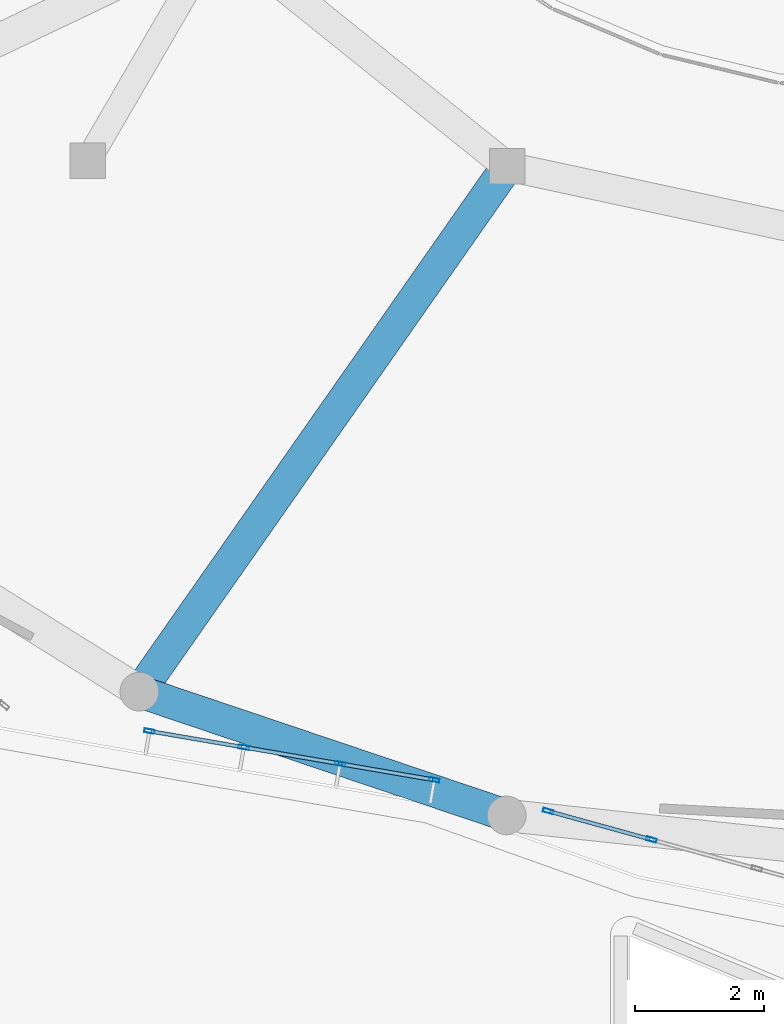
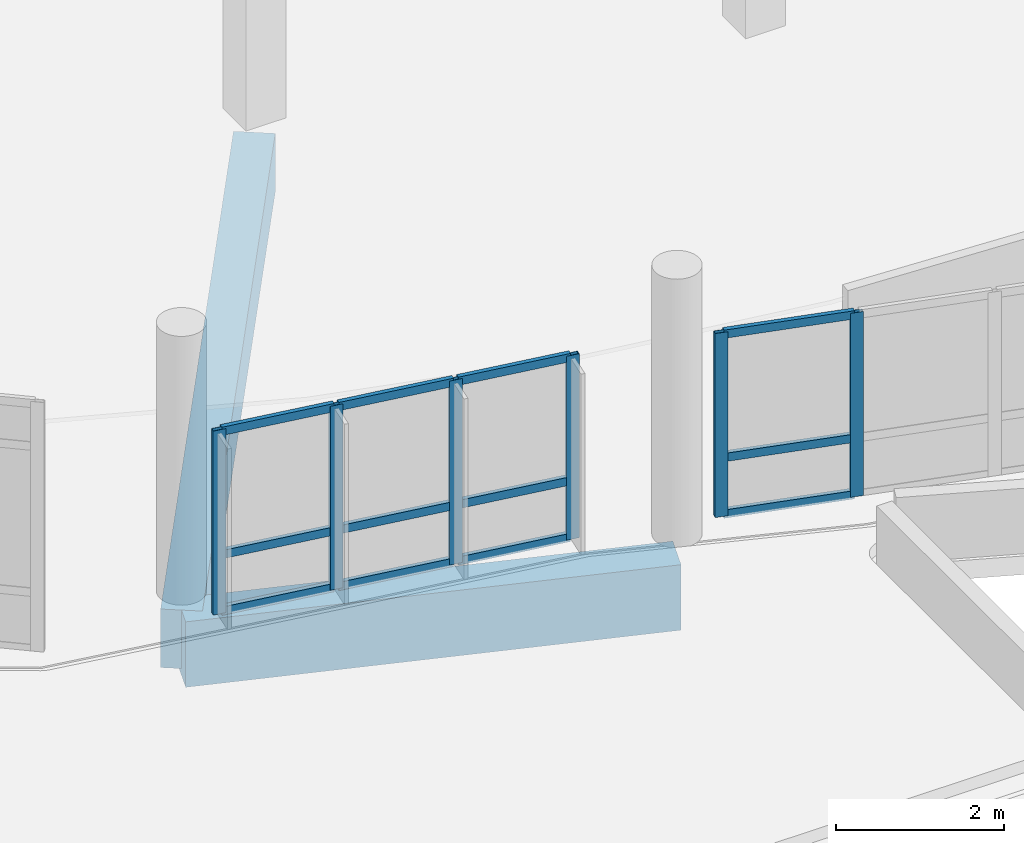
# One storey, part 9 of 74: 18 members, 2 beams, 2 elements without a shape of their own.
"""IFC4 building model written with IfcOpenShell, lengths in metres."""

from ifc_helpers import new_model, si_unit, derived_unit, direction, frame, origin, origin_2d, place, context, subcontext, project, spatial, rectangle, hollow_rectangle, extrude, material, layer, layer_set, material_profile, profile_set, type_object, element, aggregate, save


model = new_model("IFC4")

# Units and contexts
model_context = context("Model", 3, precision=1e-05, world=origin(), true_north=direction((0.0, 1.0)))
body_context = subcontext(model_context, "Body", "Model", "MODEL_VIEW")
ifc_project = project(units=[si_unit("LENGTHUNIT", "METRE"), si_unit("AREAUNIT", "SQUARE_METRE"), si_unit("VOLUMEUNIT", "CUBIC_METRE"), si_unit("PLANEANGLEUNIT", "RADIAN"), si_unit("MASSUNIT", "GRAM", prefix="KILO"), derived_unit("THERMALTRANSMITTANCEUNIT", [(si_unit("POWERUNIT", "WATT"), 1), (si_unit("LENGTHUNIT", "METRE"), -2), (si_unit("THERMODYNAMICTEMPERATUREUNIT", "KELVIN"), -1)])], contexts=[model_context])

# Site, building, storey
site_placement = place(None, origin())
site = spatial("IfcSite", under=ifc_project, at=site_placement, CompositionType="ELEMENT")
building_placement = place(site_placement, origin())
building = spatial("IfcBuilding", under=site, at=building_placement, Name="Elbkamm Science Centre", CompositionType="ELEMENT")
storey_placement = place(building_placement, frame((0.0, 0.0, 14.39990234375)))
storey = spatial("IfcBuildingStorey", under=building, at=storey_placement, Name="L03", CompositionType="ELEMENT", Elevation=14.39990234375)

# Beams
ifc_material_1 = material(Name="Concrete C40/50", Category="concrete")
ifc_material_profile_1 = material_profile(ifc_material_1, rectangle(XDim=0.5, YDim=0.85009765625, at=origin_2d()), Name="RC 500x850")
ifc_profile_set_1 = profile_set([ifc_material_profile_1], Name="Concrete C40/50")
beam_type_1 = type_object("IfcBeamType", Name="BM-RC-500x850", PredefinedType="BEAM", material=ifc_profile_set_1)
beam_1_placement = place(storey_placement, frame((56.89990234375, 58.712890625, -0.704833984375), z_axis=(-0.573553022395, -0.819168438419, 0.0), x_axis=(0.819168438419, -0.573553022395, 0.0)))
element("IfcBeam", 1, at=beam_1_placement, inside=storey, type_object=beam_type_1, Name="L03 Elliptical Radial Girder 09", PredefinedType="BEAM", context=body_context, shape_type="SweptSolid", body=[
    extrude(rectangle(XDim=0.5, YDim=0.85009765625, at=origin_2d()), origin(), (0.0, 0.0, 1.0), 9.93798828125),
])
ifc_material_profile_2 = material_profile(ifc_material_1, rectangle(XDim=0.5, YDim=0.949951171875, at=origin_2d()), Name="RC 500x950")
ifc_profile_set_2 = profile_set([ifc_material_profile_2], Name="Concrete C40/50")
beam_type_2 = type_object("IfcBeamType", Name="BM-RC-500x950", PredefinedType="BEAM", material=ifc_profile_set_2)
beam_2_placement = place(storey_placement, frame((51.199951171875, 50.572021484375, -0.7548828125), z_axis=(0.947649950761, -0.319311087848, 0.0), x_axis=(0.319311087848, 0.947649950761, 0.0)))
element("IfcBeam", 2, at=beam_2_placement, inside=storey, type_object=beam_type_2, Name="L03 Elliptical Shell Perimeter Ring Beam 17", PredefinedType="SPANDREL", context=body_context, shape_type="SweptSolid", body=[
    extrude(rectangle(XDim=0.5, YDim=0.949951171875, at=origin_2d()), origin(), (0.0, 0.0, 1.0), 6.006591796875),
])

# Curtain wall, members
ifc_material_2 = material(Name="Powder-coated aluminium and triple low-E glazing", Category="aluminium")
ifc_layer_1 = layer(ifc_material_2, 0.159912109375)
ifc_layer_set_1 = layer_set([ifc_layer_1], Name="Powder-coated aluminium and triple low-E glazing")
curtain_wall_type_1 = type_object("IfcCurtainWallType", Name="CW-UNIT-4540x2680", PredefinedType="USERDEFINED", material=ifc_layer_set_1)
curtain_wall_1_placement = place(storey_placement, origin())
curtain_wall_1 = element("IfcCurtainWall", 3, at=curtain_wall_1_placement, inside=storey, type_object=curtain_wall_type_1, Name="L03 Unitised Curtain Wall 069", ObjectType="UNITISED CURTAIN WALL", PredefinedType="USERDEFINED")
ifc_material_3 = material(Name="Powder-coated aluminium EN AW-6060", Category="aluminium")
ifc_material_profile_3 = material_profile(ifc_material_3, hollow_rectangle(XDim=0.06005859375, YDim=0.159912109375, WallThickness=0.00390625, at=origin_2d()), Name="ALU M60x160")
ifc_profile_set_3 = profile_set([ifc_material_profile_3], Name="Powder-coated aluminium EN AW-6060")
member_type_1 = type_object("IfcMemberType", Name="CW-MUL-60x160", PredefinedType="MULLION", material=ifc_profile_set_3)
member_1_placement = place(storey_placement, frame((51.356689453125, 49.960693359375, 0.0), z_axis=(0.0, 0.0, 1.0), x_axis=(0.168938740073, 0.985626553063, 0.0)))
member_1 = element("IfcMember", 4, at=member_1_placement, type_object=member_type_1, Name="CW-028 mullion 1", PredefinedType="MULLION", context=body_context, shape_type="SweptSolid", body=[
    extrude(hollow_rectangle(XDim=0.06005859375, YDim=0.159912109375, WallThickness=0.00390625, at=origin_2d()), origin(), (0.0, 0.0, 1.0), 2.670166015625),
])
member_2_placement = place(storey_placement, frame((52.818115234375, 49.710205078125, 0.0), z_axis=(0.0, 0.0, 1.0), x_axis=(0.168938740073, 0.985626553063, 0.0)))
member_2 = element("IfcMember", 5, at=member_2_placement, type_object=member_type_1, Name="CW-028 mullion 2", PredefinedType="MULLION", context=body_context, shape_type="SweptSolid", body=[
    extrude(hollow_rectangle(XDim=0.06005859375, YDim=0.159912109375, WallThickness=0.00390625, at=origin_2d()), origin(), (0.0, 0.0, 1.0), 2.670166015625),
])
member_3_placement = place(storey_placement, frame((54.309326171875, 49.45458984375, 0.0), z_axis=(0.0, 0.0, 1.0), x_axis=(0.168938740073, 0.985626553063, 0.0)))
member_3 = element("IfcMember", 6, at=member_3_placement, type_object=member_type_1, Name="CW-028 mullion 3", PredefinedType="MULLION", context=body_context, shape_type="SweptSolid", body=[
    extrude(hollow_rectangle(XDim=0.06005859375, YDim=0.159912109375, WallThickness=0.00390625, at=origin_2d()), origin(), (0.0, 0.0, 1.0), 2.670166015625),
])
member_4_placement = place(storey_placement, frame((55.770751953125, 49.2041015625, 0.0), z_axis=(0.0, 0.0, 1.0), x_axis=(0.168938740073, 0.985626553063, 0.0)))
member_4 = element("IfcMember", 7, at=member_4_placement, type_object=member_type_1, Name="CW-028 mullion 4", PredefinedType="MULLION", context=body_context, shape_type="SweptSolid", body=[
    extrude(hollow_rectangle(XDim=0.06005859375, YDim=0.159912109375, WallThickness=0.00390625, at=origin_2d()), origin(), (0.0, 0.0, 1.0), 2.670166015625),
])

ifc_layer_2 = layer(ifc_material_2, 0.159912109375)
ifc_layer_set_2 = layer_set([ifc_layer_2], Name="Powder-coated aluminium and triple low-E glazing")
curtain_wall_type_2 = type_object("IfcCurtainWallType", Name="CW-UNIT-5080x2680", PredefinedType="USERDEFINED", material=ifc_layer_set_2)
curtain_wall_2_placement = place(storey_placement, origin())
curtain_wall_2 = element("IfcCurtainWall", 8, at=curtain_wall_2_placement, inside=storey, type_object=curtain_wall_type_2, Name="L03 Unitised Curtain Wall 070", ObjectType="UNITISED CURTAIN WALL", PredefinedType="USERDEFINED")
member_5_placement = place(storey_placement, frame((57.533447265625, 48.721435546875, 0.0), z_axis=(0.0, 0.0, 1.0), x_axis=(0.265717591226, 0.964050912407, 0.0)))
member_5 = element("IfcMember", 9, at=member_5_placement, type_object=member_type_1, Name="CW-029 mullion 1", PredefinedType="MULLION", context=body_context, shape_type="SweptSolid", body=[
    extrude(hollow_rectangle(XDim=0.06005859375, YDim=0.159912109375, WallThickness=0.00390625, at=origin_2d()), origin(), (0.0, 0.0, 1.0), 2.670166015625),
])
member_6_placement = place(storey_placement, frame((59.136474609375, 48.279541015625, 0.0), z_axis=(0.0, 0.0, 1.0), x_axis=(0.265717591226, 0.964050912407, 0.0)))
member_6 = element("IfcMember", 10, at=member_6_placement, type_object=member_type_1, Name="CW-029 mullion 2", PredefinedType="MULLION", context=body_context, shape_type="SweptSolid", body=[
    extrude(hollow_rectangle(XDim=0.06005859375, YDim=0.159912109375, WallThickness=0.00390625, at=origin_2d()), origin(), (0.0, 0.0, 1.0), 2.670166015625),
])

# Member
ifc_material_profile_4 = material_profile(ifc_material_3, hollow_rectangle(XDim=0.06005859375, YDim=0.1201171875, WallThickness=0.00341796875, at=origin_2d()), Name="ALU T60x120")
ifc_profile_set_4 = profile_set([ifc_material_profile_4], Name="Powder-coated aluminium EN AW-6060")
member_type_2 = type_object("IfcMemberType", Name="CW-TRN-60x120", PredefinedType="USERDEFINED", material=ifc_profile_set_4)
member_7_placement = place(storey_placement, frame((51.38623046875, 49.95556640625, 0.030029296875), z_axis=(0.985641843494, -0.168849508008, 0.0), x_axis=(0.168849508008, 0.985641843494, 0.0)))
member_7 = element("IfcMember", 11, at=member_7_placement, type_object=member_type_2, Name="CW-028 transom 1.1", ObjectType="TRANSOM", PredefinedType="USERDEFINED", context=body_context, shape_type="SweptSolid", body=[
    extrude(hollow_rectangle(XDim=0.06005859375, YDim=0.1201171875, WallThickness=0.00341796875, at=origin_2d()), origin(), (0.0, 0.0, 1.0), 1.4228515625),
])

member_8_placement = place(storey_placement, frame((51.38623046875, 49.95556640625, 0.85009765625), z_axis=(0.985641843494, -0.168849508008, 0.0), x_axis=(0.168849508008, 0.985641843494, 0.0)))
member_8 = element("IfcMember", 12, at=member_8_placement, type_object=member_type_2, Name="CW-028 transom 1.2", ObjectType="TRANSOM", PredefinedType="USERDEFINED", context=body_context, shape_type="SweptSolid", body=[
    extrude(hollow_rectangle(XDim=0.06005859375, YDim=0.1201171875, WallThickness=0.00341796875, at=origin_2d()), origin(), (0.0, 0.0, 1.0), 1.4228515625),
])

member_9_placement = place(storey_placement, frame((51.38623046875, 49.95556640625, 2.64013671875), z_axis=(0.985641843494, -0.168849508008, 0.0), x_axis=(0.168849508008, 0.985641843494, 0.0)))
member_9 = element("IfcMember", 13, at=member_9_placement, type_object=member_type_2, Name="CW-028 transom 1.3", ObjectType="TRANSOM", PredefinedType="USERDEFINED", context=body_context, shape_type="SweptSolid", body=[
    extrude(hollow_rectangle(XDim=0.06005859375, YDim=0.1201171875, WallThickness=0.00341796875, at=origin_2d()), origin(), (0.0, 0.0, 1.0), 1.4228515625),
])

member_10_placement = place(storey_placement, frame((52.847900390625, 49.705078125, 0.030029296875), z_axis=(0.985634246638, -0.168893847889, 0.0), x_axis=(0.168893847889, 0.985634246638, 0.0)))
member_10 = element("IfcMember", 14, at=member_10_placement, type_object=member_type_2, Name="CW-028 transom 2.1", ObjectType="TRANSOM", PredefinedType="USERDEFINED", context=body_context, shape_type="SweptSolid", body=[
    extrude(hollow_rectangle(XDim=0.06005859375, YDim=0.1201171875, WallThickness=0.00341796875, at=origin_2d()), origin(), (0.0, 0.0, 1.0), 1.45263671875),
])

member_11_placement = place(storey_placement, frame((52.847900390625, 49.705078125, 0.85009765625), z_axis=(0.985634246638, -0.168893847889, 0.0), x_axis=(0.168893847889, 0.985634246638, 0.0)))
member_11 = element("IfcMember", 15, at=member_11_placement, type_object=member_type_2, Name="CW-028 transom 2.2", ObjectType="TRANSOM", PredefinedType="USERDEFINED", context=body_context, shape_type="SweptSolid", body=[
    extrude(hollow_rectangle(XDim=0.06005859375, YDim=0.1201171875, WallThickness=0.00341796875, at=origin_2d()), origin(), (0.0, 0.0, 1.0), 1.45263671875),
])

member_12_placement = place(storey_placement, frame((52.847900390625, 49.705078125, 2.64013671875), z_axis=(0.985634246638, -0.168893847889, 0.0), x_axis=(0.168893847889, 0.985634246638, 0.0)))
member_12 = element("IfcMember", 16, at=member_12_placement, type_object=member_type_2, Name="CW-028 transom 2.3", ObjectType="TRANSOM", PredefinedType="USERDEFINED", context=body_context, shape_type="SweptSolid", body=[
    extrude(hollow_rectangle(XDim=0.06005859375, YDim=0.1201171875, WallThickness=0.00341796875, at=origin_2d()), origin(), (0.0, 0.0, 1.0), 1.45263671875),
])

member_13_placement = place(storey_placement, frame((54.3388671875, 49.44970703125, 0.030029296875), z_axis=(0.985613272498, -0.169016203588, 0.0), x_axis=(0.169016203588, 0.985613272498, 0.0)))
member_13 = element("IfcMember", 17, at=member_13_placement, type_object=member_type_2, Name="CW-028 transom 3.1", ObjectType="TRANSOM", PredefinedType="USERDEFINED", context=body_context, shape_type="SweptSolid", body=[
    extrude(hollow_rectangle(XDim=0.06005859375, YDim=0.1201171875, WallThickness=0.00341796875, at=origin_2d()), origin(), (0.0, 0.0, 1.0), 1.4228515625),
])

member_14_placement = place(storey_placement, frame((54.3388671875, 49.44970703125, 0.85009765625), z_axis=(0.985613272498, -0.169016203588, 0.0), x_axis=(0.169016203588, 0.985613272498, 0.0)))
member_14 = element("IfcMember", 18, at=member_14_placement, type_object=member_type_2, Name="CW-028 transom 3.2", ObjectType="TRANSOM", PredefinedType="USERDEFINED", context=body_context, shape_type="SweptSolid", body=[
    extrude(hollow_rectangle(XDim=0.06005859375, YDim=0.1201171875, WallThickness=0.00341796875, at=origin_2d()), origin(), (0.0, 0.0, 1.0), 1.4228515625),
])

member_15_placement = place(storey_placement, frame((54.3388671875, 49.44970703125, 2.64013671875), z_axis=(0.985613272498, -0.169016203588, 0.0), x_axis=(0.169016203588, 0.985613272498, 0.0)))
member_15 = element("IfcMember", 19, at=member_15_placement, type_object=member_type_2, Name="CW-028 transom 3.3", ObjectType="TRANSOM", PredefinedType="USERDEFINED", context=body_context, shape_type="SweptSolid", body=[
    extrude(hollow_rectangle(XDim=0.06005859375, YDim=0.1201171875, WallThickness=0.00341796875, at=origin_2d()), origin(), (0.0, 0.0, 1.0), 1.4228515625),
])

aggregate(curtain_wall_1, [member_1, member_2, member_3, member_4, member_7, member_8, member_9, member_10, member_11, member_12, member_13, member_14, member_15])

member_16_placement = place(storey_placement, frame((57.5625, 48.71337890625, 0.030029296875), z_axis=(0.964057232352, -0.265694660749, 0.0), x_axis=(0.265694660749, 0.964057232352, 0.0)))
member_16 = element("IfcMember", 20, at=member_16_placement, type_object=member_type_2, Name="CW-029 transom 1.1", ObjectType="TRANSOM", PredefinedType="USERDEFINED", context=body_context, shape_type="SweptSolid", body=[
    extrude(hollow_rectangle(XDim=0.06005859375, YDim=0.1201171875, WallThickness=0.00341796875, at=origin_2d()), origin(), (0.0, 0.0, 1.0), 1.6025390625),
])

member_17_placement = place(storey_placement, frame((57.5625, 48.71337890625, 0.85009765625), z_axis=(0.964057232352, -0.265694660749, 0.0), x_axis=(0.265694660749, 0.964057232352, 0.0)))
member_17 = element("IfcMember", 21, at=member_17_placement, type_object=member_type_2, Name="CW-029 transom 1.2", ObjectType="TRANSOM", PredefinedType="USERDEFINED", context=body_context, shape_type="SweptSolid", body=[
    extrude(hollow_rectangle(XDim=0.06005859375, YDim=0.1201171875, WallThickness=0.00341796875, at=origin_2d()), origin(), (0.0, 0.0, 1.0), 1.6025390625),
])

member_18_placement = place(storey_placement, frame((57.5625, 48.71337890625, 2.64013671875), z_axis=(0.964057232352, -0.265694660749, 0.0), x_axis=(0.265694660749, 0.964057232352, 0.0)))
member_18 = element("IfcMember", 22, at=member_18_placement, type_object=member_type_2, Name="CW-029 transom 1.3", ObjectType="TRANSOM", PredefinedType="USERDEFINED", context=body_context, shape_type="SweptSolid", body=[
    extrude(hollow_rectangle(XDim=0.06005859375, YDim=0.1201171875, WallThickness=0.00341796875, at=origin_2d()), origin(), (0.0, 0.0, 1.0), 1.6025390625),
])

aggregate(curtain_wall_2, [member_5, member_6, member_16, member_17, member_18])

save(model, "model.ifc")
